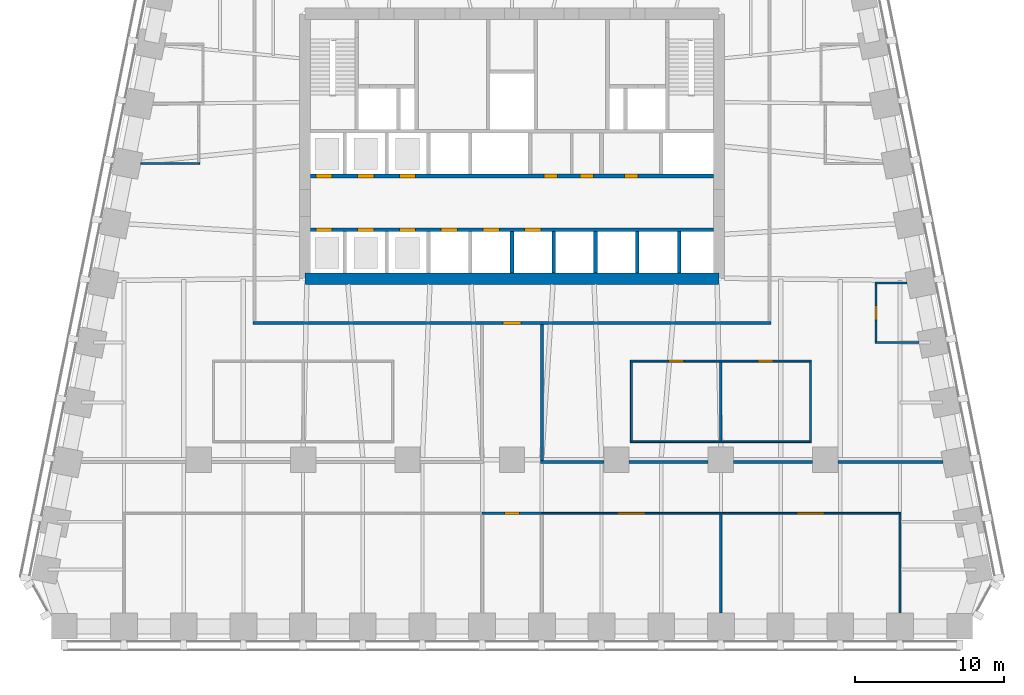
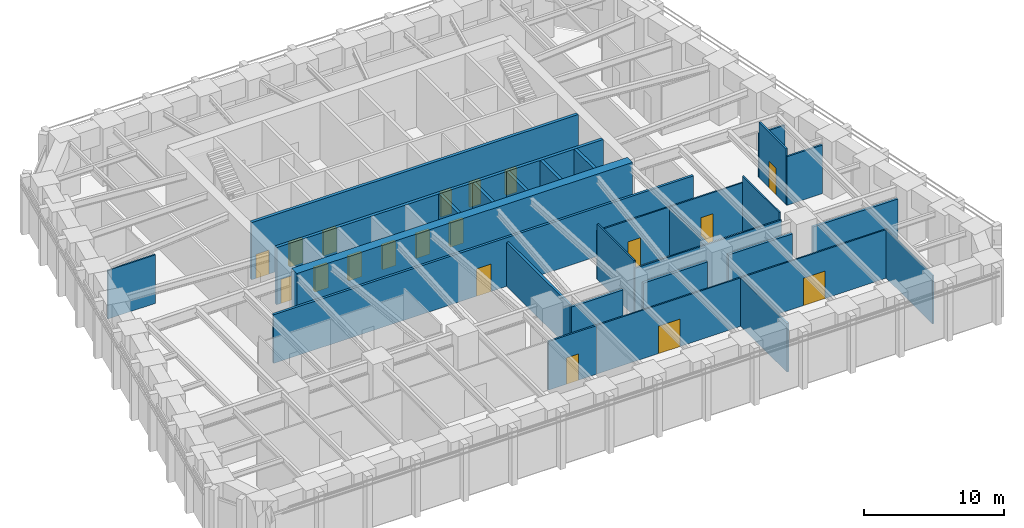
# One storey, part 6 of 11: 27 walls, 19 doors, 19 openings.
"""IFC4 building model written with IfcOpenShell, lengths in metres."""

from ifc_helpers import new_model, si_unit, direction, frame, frame_2d, origin, place, context, subcontext, project, spatial, rectangle, extrude, material, layer, layer_set, type_object, element, fill, save


model = new_model("IFC4")

# Units and contexts
model_context = context("Model", 3, precision=1e-05, world=origin(), true_north=direction((0.0, 1.0)))
body_context = subcontext(model_context, "Body", "Model", "MODEL_VIEW")
ifc_project = project(units=[si_unit("LENGTHUNIT", "METRE"), si_unit("AREAUNIT", "SQUARE_METRE"), si_unit("VOLUMEUNIT", "CUBIC_METRE"), si_unit("PLANEANGLEUNIT", "RADIAN"), si_unit("MASSUNIT", "GRAM", prefix="KILO")], contexts=[model_context])

# Site, building, storey
site_placement = place(None, origin())
site = spatial("IfcSite", under=ifc_project, at=site_placement, CompositionType="ELEMENT")
building_placement = place(site_placement, origin())
building = spatial("IfcBuilding", under=site, at=building_placement, Name="Isbrekke Arena Tower", CompositionType="ELEMENT")
storey_placement = place(building_placement, frame((0.0, 0.0, 98.0)))
storey = spatial("IfcBuildingStorey", under=building, at=storey_placement, Name="L21", CompositionType="ELEMENT", Elevation=98.0)

# Wall
ifc_material_1 = material(Name="Concrete B55 (C55/67)", Category="concrete")
ifc_layer_1 = layer(ifc_material_1, 0.75)
ifc_layer_set_1 = layer_set([ifc_layer_1], Name="CW3 CORE WALL 750")
wall_type_1 = type_object("IfcWallType", Name="CW3 CORE WALL 750", PredefinedType="SHEAR", material=ifc_layer_set_1)
wall_1_placement = place(storey_placement, frame((-13.875, 6.125, 0.0), z_axis=(0.0, 0.0, 1.0), x_axis=(1.0, 0.0, 0.0)))
element("IfcWall", 1, at=wall_1_placement, inside=storey, type_object=wall_type_1, Name="Core wall S L21", PredefinedType="SHEAR", context=body_context, shape_type="SweptSolid", body=[
    extrude(rectangle(XDim=27.75, YDim=0.75, at=frame_2d((13.875, 0.0))), origin(), (0.0, 0.0, 1.0), 5.0),
])

# Wall, openings, doors
ifc_material_2 = material(Name="Concrete B45 (C45/55)", Category="concrete")
ifc_layer_2 = layer(ifc_material_2, 0.25)
ifc_layer_set_2 = layer_set([ifc_layer_2], Name="CW6 SHAFT WALL 250")
wall_type_2 = type_object("IfcWallType", Name="CW6 SHAFT WALL 250", PredefinedType="SHEAR", material=ifc_layer_set_2)
wall_2_placement = place(storey_placement, frame((-13.5, 9.39990234375, 0.0), z_axis=(0.0, 0.0, 1.0), x_axis=(1.0, 0.0, 0.0)))
wall_2 = element("IfcWall", 2, at=wall_2_placement, inside=storey, type_object=wall_type_2, Name="Core wall LS L21", PredefinedType="SHEAR", context=body_context, shape_type="SweptSolid", body=[
    extrude(rectangle(XDim=27.0, YDim=0.25, at=frame_2d((13.5, 0.0))), origin(), (0.0, 0.0, 1.0), 5.0),
])
opening_1_placement = place(wall_2_placement, frame((0.35009765625, 0.0, 0.0)))
opening_1 = element("IfcOpeningElement", 3, at=opening_1_placement, cuts=wall_2, Name="Opening LD1", PredefinedType="OPENING", context=body_context, shape_type="SweptSolid", body=[
    extrude(rectangle(XDim=1.10009765625, YDim=2.10009765625, at=frame_2d((0.550048828125, 1.050048828125))), frame((0.0, 0.139892578125, 0.0), z_axis=(0.0, -1.0, 0.0), x_axis=(1.0, 0.0, 0.0)), (0.0, 0.0, 1.0), 0.27978515625),
])
opening_2_placement = place(wall_2_placement, frame((3.14990234375, 0.0, 0.0)))
opening_2 = element("IfcOpeningElement", 4, at=opening_2_placement, cuts=wall_2, Name="Opening LD1", PredefinedType="OPENING", context=body_context, shape_type="SweptSolid", body=[
    extrude(rectangle(XDim=1.10009765625, YDim=2.10009765625, at=frame_2d((0.550048828125, 1.050048828125))), frame((0.0, 0.139892578125, 0.0), z_axis=(0.0, -1.0, 0.0), x_axis=(1.0, 0.0, 0.0)), (0.0, 0.0, 1.0), 0.27978515625),
])
opening_3_placement = place(wall_2_placement, frame((5.949951171875, 0.0, 0.0)))
opening_3 = element("IfcOpeningElement", 5, at=opening_3_placement, cuts=wall_2, Name="Opening LD1", PredefinedType="OPENING", context=body_context, shape_type="SweptSolid", body=[
    extrude(rectangle(XDim=1.10009765625, YDim=2.10009765625, at=frame_2d((0.550048828125, 1.050048828125))), frame((0.0, 0.139892578125, 0.0), z_axis=(0.0, -1.0, 0.0), x_axis=(1.0, 0.0, 0.0)), (0.0, 0.0, 1.0), 0.27978515625),
])
opening_4_placement = place(wall_2_placement, frame((8.75, 0.0, 0.0)))
opening_4 = element("IfcOpeningElement", 6, at=opening_4_placement, cuts=wall_2, Name="Opening LD1", PredefinedType="OPENING", context=body_context, shape_type="SweptSolid", body=[
    extrude(rectangle(XDim=1.10009765625, YDim=2.10009765625, at=frame_2d((0.550048828125, 1.050048828125))), frame((0.0, 0.139892578125, 0.0), z_axis=(0.0, -1.0, 0.0), x_axis=(1.0, 0.0, 0.0)), (0.0, 0.0, 1.0), 0.27978515625),
])
opening_5_placement = place(wall_2_placement, frame((11.550048828125, 0.0, 0.0)))
opening_5 = element("IfcOpeningElement", 7, at=opening_5_placement, cuts=wall_2, Name="Opening LD1", PredefinedType="OPENING", context=body_context, shape_type="SweptSolid", body=[
    extrude(rectangle(XDim=1.10009765625, YDim=2.10009765625, at=frame_2d((0.550048828125, 1.050048828125))), frame((0.0, 0.139892578125, 0.0), z_axis=(0.0, -1.0, 0.0), x_axis=(1.0, 0.0, 0.0)), (0.0, 0.0, 1.0), 0.27978515625),
])
opening_6_placement = place(wall_2_placement, frame((14.35009765625, 0.0, 0.0)))
opening_6 = element("IfcOpeningElement", 8, at=opening_6_placement, cuts=wall_2, Name="Opening LD1", PredefinedType="OPENING", context=body_context, shape_type="SweptSolid", body=[
    extrude(rectangle(XDim=1.10009765625, YDim=2.10009765625, at=frame_2d((0.550048828125, 1.050048828125))), frame((0.0, 0.139892578125, 0.0), z_axis=(0.0, -1.0, 0.0), x_axis=(1.0, 0.0, 0.0)), (0.0, 0.0, 1.0), 0.27978515625),
])
ifc_material_3 = material(Name="Stainless steel lift landing door", Category="steel")
door_type_1 = type_object("IfcDoorType", Name="LD1 LIFT LANDING DOOR 1100 x 2100", OperationType="SLIDING_TO_LEFT", PredefinedType="DOOR", material=ifc_material_3)
door_1_placement = place(opening_1_placement, origin())
door_1 = element("IfcDoor", 9, at=door_1_placement, inside=storey, type_object=door_type_1, Name="LD1 lift landing door LB L21", OperationType="SLIDING_TO_LEFT", OverallHeight=2.10009765625, OverallWidth=1.10009765625, PredefinedType="DOOR", context=body_context, shape_type="SweptSolid", body=[
    extrude(rectangle(XDim=1.10009765625, YDim=2.10009765625, at=frame_2d((0.550048828125, 1.050048828125))), frame((0.0, 0.124755859375, 0.0), z_axis=(0.0, -1.0, 0.0), x_axis=(1.0, 0.0, 0.0)), (0.0, 0.0, 1.0), 0.24951171875),
])
fill(opening_1, door_1)
door_2_placement = place(opening_2_placement, origin())
door_2 = element("IfcDoor", 10, at=door_2_placement, inside=storey, type_object=door_type_1, Name="LD1 lift landing door LB L21", OperationType="SLIDING_TO_LEFT", OverallHeight=2.10009765625, OverallWidth=1.10009765625, PredefinedType="DOOR", context=body_context, shape_type="SweptSolid", body=[
    extrude(rectangle(XDim=1.10009765625, YDim=2.10009765625, at=frame_2d((0.550048828125, 1.050048828125))), frame((0.0, 0.124755859375, 0.0), z_axis=(0.0, -1.0, 0.0), x_axis=(1.0, 0.0, 0.0)), (0.0, 0.0, 1.0), 0.24951171875),
])
fill(opening_2, door_2)
door_3_placement = place(opening_3_placement, origin())
door_3 = element("IfcDoor", 11, at=door_3_placement, inside=storey, type_object=door_type_1, Name="LD1 lift landing door LB L21", OperationType="SLIDING_TO_LEFT", OverallHeight=2.10009765625, OverallWidth=1.10009765625, PredefinedType="DOOR", context=body_context, shape_type="SweptSolid", body=[
    extrude(rectangle(XDim=1.10009765625, YDim=2.10009765625, at=frame_2d((0.550048828125, 1.050048828125))), frame((0.0, 0.124755859375, 0.0), z_axis=(0.0, -1.0, 0.0), x_axis=(1.0, 0.0, 0.0)), (0.0, 0.0, 1.0), 0.24951171875),
])
fill(opening_3, door_3)
door_4_placement = place(opening_4_placement, origin())
door_4 = element("IfcDoor", 12, at=door_4_placement, inside=storey, type_object=door_type_1, Name="LD1 lift landing door LS L21", OperationType="SLIDING_TO_LEFT", OverallHeight=2.10009765625, OverallWidth=1.10009765625, PredefinedType="DOOR", context=body_context, shape_type="SweptSolid", body=[
    extrude(rectangle(XDim=1.10009765625, YDim=2.10009765625, at=frame_2d((0.550048828125, 1.050048828125))), frame((0.0, 0.124755859375, 0.0), z_axis=(0.0, -1.0, 0.0), x_axis=(1.0, 0.0, 0.0)), (0.0, 0.0, 1.0), 0.24951171875),
])
fill(opening_4, door_4)
door_5_placement = place(opening_5_placement, origin())
door_5 = element("IfcDoor", 13, at=door_5_placement, inside=storey, type_object=door_type_1, Name="LD1 lift landing door LS L21", OperationType="SLIDING_TO_LEFT", OverallHeight=2.10009765625, OverallWidth=1.10009765625, PredefinedType="DOOR", context=body_context, shape_type="SweptSolid", body=[
    extrude(rectangle(XDim=1.10009765625, YDim=2.10009765625, at=frame_2d((0.550048828125, 1.050048828125))), frame((0.0, 0.124755859375, 0.0), z_axis=(0.0, -1.0, 0.0), x_axis=(1.0, 0.0, 0.0)), (0.0, 0.0, 1.0), 0.24951171875),
])
fill(opening_5, door_5)
door_6_placement = place(opening_6_placement, origin())
door_6 = element("IfcDoor", 14, at=door_6_placement, inside=storey, type_object=door_type_1, Name="LD1 lift landing door LS L21", OperationType="SLIDING_TO_LEFT", OverallHeight=2.10009765625, OverallWidth=1.10009765625, PredefinedType="DOOR", context=body_context, shape_type="SweptSolid", body=[
    extrude(rectangle(XDim=1.10009765625, YDim=2.10009765625, at=frame_2d((0.550048828125, 1.050048828125))), frame((0.0, 0.124755859375, 0.0), z_axis=(0.0, -1.0, 0.0), x_axis=(1.0, 0.0, 0.0)), (0.0, 0.0, 1.0), 0.24951171875),
])
fill(opening_6, door_6)

wall_3_placement = place(storey_placement, frame((-13.5, 13.0, 0.0), z_axis=(0.0, 0.0, 1.0), x_axis=(1.0, 0.0, 0.0)))
wall_3 = element("IfcWall", 15, at=wall_3_placement, inside=storey, type_object=wall_type_2, Name="Core wall LN L21", PredefinedType="SHEAR", context=body_context, shape_type="SweptSolid", body=[
    extrude(rectangle(XDim=27.0, YDim=0.25, at=frame_2d((13.5, 0.0))), origin(), (0.0, 0.0, 1.0), 5.0),
])
opening_7_placement = place(wall_3_placement, frame((0.35009765625, 0.0, 0.0)))
opening_7 = element("IfcOpeningElement", 16, at=opening_7_placement, cuts=wall_3, Name="Opening LD1", PredefinedType="OPENING", context=body_context, shape_type="SweptSolid", body=[
    extrude(rectangle(XDim=1.10009765625, YDim=2.10009765625, at=frame_2d((0.550048828125, 1.050048828125))), frame((0.0, 0.139892578125, 0.0), z_axis=(0.0, -1.0, 0.0), x_axis=(1.0, 0.0, 0.0)), (0.0, 0.0, 1.0), 0.27978515625),
])
opening_8_placement = place(wall_3_placement, frame((3.14990234375, 0.0, 0.0)))
opening_8 = element("IfcOpeningElement", 17, at=opening_8_placement, cuts=wall_3, Name="Opening LD1", PredefinedType="OPENING", context=body_context, shape_type="SweptSolid", body=[
    extrude(rectangle(XDim=1.10009765625, YDim=2.10009765625, at=frame_2d((0.550048828125, 1.050048828125))), frame((0.0, 0.139892578125, 0.0), z_axis=(0.0, -1.0, 0.0), x_axis=(1.0, 0.0, 0.0)), (0.0, 0.0, 1.0), 0.27978515625),
])
opening_9_placement = place(wall_3_placement, frame((5.949951171875, 0.0, 0.0)))
opening_9 = element("IfcOpeningElement", 18, at=opening_9_placement, cuts=wall_3, Name="Opening LD1", PredefinedType="OPENING", context=body_context, shape_type="SweptSolid", body=[
    extrude(rectangle(XDim=1.10009765625, YDim=2.10009765625, at=frame_2d((0.550048828125, 1.050048828125))), frame((0.0, 0.139892578125, 0.0), z_axis=(0.0, -1.0, 0.0), x_axis=(1.0, 0.0, 0.0)), (0.0, 0.0, 1.0), 0.27978515625),
])
opening_10_placement = place(wall_3_placement, frame((15.64990234375, 0.0, 0.0)))
opening_10 = element("IfcOpeningElement", 19, at=opening_10_placement, cuts=wall_3, Name="Opening D5", PredefinedType="OPENING", context=body_context, shape_type="SweptSolid", body=[
    extrude(rectangle(XDim=0.89990234375, YDim=2.10009765625, at=frame_2d((0.449951171875, 1.050048828125))), frame((0.0, 0.139892578125, 0.0), z_axis=(0.0, -1.0, 0.0), x_axis=(1.0, 0.0, 0.0)), (0.0, 0.0, 1.0), 0.27978515625),
])
opening_11_placement = place(wall_3_placement, frame((18.050048828125, 0.0, 0.0)))
opening_11 = element("IfcOpeningElement", 20, at=opening_11_placement, cuts=wall_3, Name="Opening D5", PredefinedType="OPENING", context=body_context, shape_type="SweptSolid", body=[
    extrude(rectangle(XDim=0.89990234375, YDim=2.10009765625, at=frame_2d((0.449951171875, 1.050048828125))), frame((0.0, 0.139892578125, 0.0), z_axis=(0.0, -1.0, 0.0), x_axis=(1.0, 0.0, 0.0)), (0.0, 0.0, 1.0), 0.27978515625),
])
opening_12_placement = place(wall_3_placement, frame((21.050048828125, 0.0, 0.0)))
opening_12 = element("IfcOpeningElement", 21, at=opening_12_placement, cuts=wall_3, Name="Opening D5", PredefinedType="OPENING", context=body_context, shape_type="SweptSolid", body=[
    extrude(rectangle(XDim=0.89990234375, YDim=2.10009765625, at=frame_2d((0.449951171875, 1.050048828125))), frame((0.0, 0.139892578125, 0.0), z_axis=(0.0, -1.0, 0.0), x_axis=(1.0, 0.0, 0.0)), (0.0, 0.0, 1.0), 0.27978515625),
])
ifc_material_4 = material(Name="Steel fire door", Category="steel")
door_type_2 = type_object("IfcDoorType", Name="D5 SERVICE DOOR 900 x 2100", OperationType="SINGLE_SWING_LEFT", PredefinedType="DOOR", material=ifc_material_4)
door_7_placement = place(opening_10_placement, origin())
door_7 = element("IfcDoor", 22, at=door_7_placement, inside=storey, type_object=door_type_2, Name="D5 tea point door L21", OperationType="SINGLE_SWING_LEFT", OverallHeight=2.10009765625, OverallWidth=0.89990234375, PredefinedType="DOOR", context=body_context, shape_type="SweptSolid", body=[
    extrude(rectangle(XDim=0.89990234375, YDim=2.10009765625, at=frame_2d((0.449951171875, 1.050048828125))), frame((0.0, 0.124755859375, 0.0), z_axis=(0.0, -1.0, 0.0), x_axis=(1.0, 0.0, 0.0)), (0.0, 0.0, 1.0), 0.24951171875),
])
fill(opening_10, door_7)
door_8_placement = place(opening_11_placement, origin())
door_8 = element("IfcDoor", 23, at=door_8_placement, inside=storey, type_object=door_type_2, Name="D5 cleaner's store door L21", OperationType="SINGLE_SWING_LEFT", OverallHeight=2.10009765625, OverallWidth=0.89990234375, PredefinedType="DOOR", context=body_context, shape_type="SweptSolid", body=[
    extrude(rectangle(XDim=0.89990234375, YDim=2.10009765625, at=frame_2d((0.449951171875, 1.050048828125))), frame((0.0, 0.124755859375, 0.0), z_axis=(0.0, -1.0, 0.0), x_axis=(1.0, 0.0, 0.0)), (0.0, 0.0, 1.0), 0.24951171875),
])
fill(opening_11, door_8)
door_9_placement = place(opening_12_placement, origin())
door_9 = element("IfcDoor", 24, at=door_9_placement, inside=storey, type_object=door_type_2, Name="D5 communications room door L21", OperationType="SINGLE_SWING_LEFT", OverallHeight=2.10009765625, OverallWidth=0.89990234375, PredefinedType="DOOR", context=body_context, shape_type="SweptSolid", body=[
    extrude(rectangle(XDim=0.89990234375, YDim=2.10009765625, at=frame_2d((0.449951171875, 1.050048828125))), frame((0.0, 0.124755859375, 0.0), z_axis=(0.0, -1.0, 0.0), x_axis=(1.0, 0.0, 0.0)), (0.0, 0.0, 1.0), 0.24951171875),
])
fill(opening_12, door_9)
door_10_placement = place(opening_7_placement, origin())
door_10 = element("IfcDoor", 25, at=door_10_placement, inside=storey, type_object=door_type_1, Name="LD1 lift landing door LB L21", OperationType="SLIDING_TO_LEFT", OverallHeight=2.10009765625, OverallWidth=1.10009765625, PredefinedType="DOOR", context=body_context, shape_type="SweptSolid", body=[
    extrude(rectangle(XDim=1.10009765625, YDim=2.10009765625, at=frame_2d((0.550048828125, 1.050048828125))), frame((0.0, 0.124755859375, 0.0), z_axis=(0.0, -1.0, 0.0), x_axis=(1.0, 0.0, 0.0)), (0.0, 0.0, 1.0), 0.24951171875),
])
fill(opening_7, door_10)
door_11_placement = place(opening_8_placement, origin())
door_11 = element("IfcDoor", 26, at=door_11_placement, inside=storey, type_object=door_type_1, Name="LD1 lift landing door LB L21", OperationType="SLIDING_TO_LEFT", OverallHeight=2.10009765625, OverallWidth=1.10009765625, PredefinedType="DOOR", context=body_context, shape_type="SweptSolid", body=[
    extrude(rectangle(XDim=1.10009765625, YDim=2.10009765625, at=frame_2d((0.550048828125, 1.050048828125))), frame((0.0, 0.124755859375, 0.0), z_axis=(0.0, -1.0, 0.0), x_axis=(1.0, 0.0, 0.0)), (0.0, 0.0, 1.0), 0.24951171875),
])
fill(opening_8, door_11)
door_12_placement = place(opening_9_placement, origin())
door_12 = element("IfcDoor", 27, at=door_12_placement, inside=storey, type_object=door_type_1, Name="LD1 lift landing door LB L21", OperationType="SLIDING_TO_LEFT", OverallHeight=2.10009765625, OverallWidth=1.10009765625, PredefinedType="DOOR", context=body_context, shape_type="SweptSolid", body=[
    extrude(rectangle(XDim=1.10009765625, YDim=2.10009765625, at=frame_2d((0.550048828125, 1.050048828125))), frame((0.0, 0.124755859375, 0.0), z_axis=(0.0, -1.0, 0.0), x_axis=(1.0, 0.0, 0.0)), (0.0, 0.0, 1.0), 0.24951171875),
])
fill(opening_9, door_12)

# Walls
for number, where, z_axis, x_axis, name in (
    (28, (0.0, 6.5, 0.0), (0.0, 0.0, 1.0), (0.0, 1.0, 0.0), "Core wall SS05 L21"),
    (29, (2.800048828125, 6.5, 0.0), (0.0, 0.0, 1.0), (0.0, 1.0, 0.0), "Core wall SS06 L21"),
    (30, (5.60009765625, 6.5, 0.0), (0.0, 0.0, 1.0), (0.0, 1.0, 0.0), "Core wall SS07 L21"),
    (31, (8.39990234375, 6.5, 0.0), (0.0, 0.0, 1.0), (0.0, 1.0, 0.0), "Core wall SS08 L21"),
    (32, (11.199951171875, 6.5, 0.0), (0.0, 0.0, 1.0), (0.0, 1.0, 0.0), "Core wall SS09 L21"),
):
    element("IfcWall", number, at=place(storey_placement, frame(where, z_axis=z_axis, x_axis=x_axis)), inside=storey, type_object=wall_type_2, Name=name, PredefinedType="SHEAR", context=body_context, shape_type="SweptSolid", body=[
        extrude(rectangle(XDim=2.77490234375, YDim=0.25, at=frame_2d((1.387451171875, 0.0))), origin(), (0.0, 0.0, 1.0), 5.0),
    ])

# Wall, opening, door
ifc_material_5 = material(Name="Gypsum board partition on steel studs", Category="steel")
ifc_layer_3 = layer(ifc_material_5, 0.14990234375)
ifc_layer_set_3 = layer_set([ifc_layer_3], Name="IW1 PARTITION 150")
wall_type_3 = type_object("IfcWallType", Name="IW1 PARTITION 150", PredefinedType="PARTITIONING", material=ifc_layer_set_3)
wall_4_placement = place(storey_placement, frame((-2.0, -9.60009765625, 0.0), z_axis=(0.0, 0.0, 1.0), x_axis=(1.0, 0.0, 0.0)))
wall_4 = element("IfcWall", 33, at=wall_4_placement, inside=storey, type_object=wall_type_3, Name="IW1 partition 150 L21", PredefinedType="PARTITIONING", context=body_context, shape_type="SweptSolid", body=[
    extrude(rectangle(XDim=4.0, YDim=0.14990234375, at=frame_2d((2.0, 0.0))), origin(), (0.0, 0.0, 1.0), 4.25),
])
opening_13_placement = place(wall_4_placement, frame((1.5, 0.0, 0.0)))
opening_13 = element("IfcOpeningElement", 34, at=opening_13_placement, cuts=wall_4, Name="Opening D10", PredefinedType="OPENING", context=body_context, shape_type="SweptSolid", body=[
    extrude(rectangle(XDim=1.0, YDim=2.300048828125, at=frame_2d((0.5, 1.14990234375))), frame((0.0, 0.08984375, 0.0), z_axis=(0.0, -1.0, 0.0), x_axis=(1.0, 0.0, 0.0)), (0.0, 0.0, 1.0), 0.1796875),
])
ifc_material_6 = material(Name="Timber door", Category="wood")
door_type_3 = type_object("IfcDoorType", Name="D10 OFFICE DOOR 1000 x 2300", OperationType="SINGLE_SWING_LEFT", PredefinedType="DOOR", material=ifc_material_6)
door_13_placement = place(opening_13_placement, origin())
door_13 = element("IfcDoor", 35, at=door_13_placement, inside=storey, type_object=door_type_3, Name="D10 pantry door L21", OperationType="SINGLE_SWING_LEFT", OverallHeight=2.300048828125, OverallWidth=1.0, PredefinedType="DOOR", context=body_context, shape_type="SweptSolid", body=[
    extrude(rectangle(XDim=1.0, YDim=2.300048828125, at=frame_2d((0.5, 1.14990234375))), frame((0.0, 0.07470703125, 0.0), z_axis=(0.0, -1.0, 0.0), x_axis=(1.0, 0.0, 0.0)), (0.0, 0.0, 1.0), 0.1494140625),
])
fill(opening_13, door_13)

# Walls
wall_5_placement = place(storey_placement, frame((24.324951171875, 1.840087890625, 0.0), z_axis=(0.0, 0.0, 1.0), x_axis=(1.0, 0.0, 0.0)))
element("IfcWall", 36, at=wall_5_placement, inside=storey, type_object=wall_type_3, Name="IW1 partition 150 L21", PredefinedType="PARTITIONING", context=body_context, shape_type="SweptSolid", body=[
    extrude(rectangle(XDim=2.94775390625, YDim=0.14990234375, at=frame_2d((1.473876953125, 0.0))), origin(), (0.0, 0.0, 1.0), 4.25),
])
wall_6_placement = place(storey_placement, frame((24.324951171875, 5.840087890625, 0.0), z_axis=(0.0, 0.0, 1.0), x_axis=(1.0, 0.0, 0.0)))
element("IfcWall", 37, at=wall_6_placement, inside=storey, type_object=wall_type_3, Name="IW1 partition 150 L21", PredefinedType="PARTITIONING", context=body_context, shape_type="SweptSolid", body=[
    extrude(rectangle(XDim=2.14794921875, YDim=0.14990234375, at=frame_2d((1.073974609375, 0.0))), origin(), (0.0, 0.0, 1.0), 3.842041015625),
])

# Wall, opening, door
wall_7_placement = place(storey_placement, frame((24.39990234375, 1.9150390625, 0.0), z_axis=(0.0, 0.0, 1.0), x_axis=(0.0, 1.0, 0.0)))
wall_7 = element("IfcWall", 38, at=wall_7_placement, inside=storey, type_object=wall_type_3, Name="IW1 partition 150 L21", PredefinedType="PARTITIONING", context=body_context, shape_type="SweptSolid", body=[
    extrude(rectangle(XDim=3.849853515625, YDim=0.14990234375, at=frame_2d((1.9248046875, 0.0))), origin(), (0.0, 0.0, 1.0), 4.85009765625),
])
opening_14_placement = place(wall_7_placement, frame((1.425048828125, 0.0, 0.0)))
opening_14 = element("IfcOpeningElement", 39, at=opening_14_placement, cuts=wall_7, Name="Opening D10", PredefinedType="OPENING", context=body_context, shape_type="SweptSolid", body=[
    extrude(rectangle(XDim=1.0, YDim=2.300048828125, at=frame_2d((0.5, 1.14990234375))), frame((0.0, 0.08984375, 0.0), z_axis=(0.0, -1.0, 0.0), x_axis=(1.0, 0.0, 0.0)), (0.0, 0.0, 1.0), 0.1796875),
])
door_14_placement = place(opening_14_placement, origin())
door_14 = element("IfcDoor", 40, at=door_14_placement, inside=storey, type_object=door_type_3, Name="D10 store door L21", OperationType="SINGLE_SWING_LEFT", OverallHeight=2.300048828125, OverallWidth=1.0, PredefinedType="DOOR", context=body_context, shape_type="SweptSolid", body=[
    extrude(rectangle(XDim=1.0, YDim=2.300048828125, at=frame_2d((0.5, 1.14990234375))), frame((0.0, 0.07470703125, 0.0), z_axis=(0.0, -1.0, 0.0), x_axis=(1.0, 0.0, 0.0)), (0.0, 0.0, 1.0), 0.1494140625),
])
fill(opening_14, door_14)

# Wall, openings, doors
ifc_material_7 = material(Name="Frameless glazed partition, laminated acoustic glass", Category="glass")
ifc_layer_4 = layer(ifc_material_7, 0.1201171875)
ifc_layer_set_4 = layer_set([ifc_layer_4], Name="IW2 GLAZED PARTITION 120")
wall_type_4 = type_object("IfcWallType", Name="IW2 GLAZED PARTITION 120", PredefinedType="PARTITIONING", material=ifc_layer_set_4)
wall_8_placement = place(storey_placement, frame((2.0, -9.60009765625, 0.0), z_axis=(0.0, 0.0, 1.0), x_axis=(1.0, 0.0, 0.0)))
wall_8 = element("IfcWall", 41, at=wall_8_placement, inside=storey, type_object=wall_type_4, Name="IW2 glazed partition 120 L21", PredefinedType="PARTITIONING", context=body_context, shape_type="SweptSolid", body=[
    extrude(rectangle(XDim=24.06005859375, YDim=0.1201171875, at=frame_2d((12.030029296875, 0.0))), origin(), (0.0, 0.0, 1.0), 4.25),
])
opening_15_placement = place(wall_8_placement, frame((5.10009765625, 0.0, 0.0)))
opening_15 = element("IfcOpeningElement", 42, at=opening_15_placement, cuts=wall_8, Name="Opening D13", PredefinedType="OPENING", context=body_context, shape_type="SweptSolid", body=[
    extrude(rectangle(XDim=1.800048828125, YDim=2.39990234375, at=frame_2d((0.89990234375, 1.199951171875))), frame((0.0, 0.074951171875, 0.0), z_axis=(0.0, -1.0, 0.0), x_axis=(1.0, 0.0, 0.0)), (0.0, 0.0, 1.0), 0.14990234375),
])
opening_16_placement = place(wall_8_placement, frame((17.10009765625, 0.0, 0.0)))
opening_16 = element("IfcOpeningElement", 43, at=opening_16_placement, cuts=wall_8, Name="Opening D13", PredefinedType="OPENING", context=body_context, shape_type="SweptSolid", body=[
    extrude(rectangle(XDim=1.800048828125, YDim=2.39990234375, at=frame_2d((0.89990234375, 1.199951171875))), frame((0.0, 0.074951171875, 0.0), z_axis=(0.0, -1.0, 0.0), x_axis=(1.0, 0.0, 0.0)), (0.0, 0.0, 1.0), 0.14990234375),
])
ifc_material_8 = material(Name="Timber door pair", Category="wood")
door_type_4 = type_object("IfcDoorType", Name="D13 DOUBLE ROOM DOOR 1800 x 2400", OperationType="DOUBLE_DOOR_SINGLE_SWING", PredefinedType="DOOR", material=ifc_material_8)
door_15_placement = place(opening_15_placement, origin())
door_15 = element("IfcDoor", 44, at=door_15_placement, inside=storey, type_object=door_type_4, Name="D13 conference room door L21", OperationType="DOUBLE_DOOR_SINGLE_SWING", OverallHeight=2.39990234375, OverallWidth=1.800048828125, PredefinedType="DOOR", context=body_context, shape_type="SweptSolid", body=[
    extrude(rectangle(XDim=1.800048828125, YDim=2.39990234375, at=frame_2d((0.89990234375, 1.199951171875))), frame((0.0, 0.059814453125, 0.0), z_axis=(0.0, -1.0, 0.0), x_axis=(1.0, 0.0, 0.0)), (0.0, 0.0, 1.0), 0.11962890625),
])
fill(opening_15, door_15)
door_16_placement = place(opening_16_placement, origin())
door_16 = element("IfcDoor", 45, at=door_16_placement, inside=storey, type_object=door_type_4, Name="D13 conference room door L21", OperationType="DOUBLE_DOOR_SINGLE_SWING", OverallHeight=2.39990234375, OverallWidth=1.800048828125, PredefinedType="DOOR", context=body_context, shape_type="SweptSolid", body=[
    extrude(rectangle(XDim=1.800048828125, YDim=2.39990234375, at=frame_2d((0.89990234375, 1.199951171875))), frame((0.0, 0.059814453125, 0.0), z_axis=(0.0, -1.0, 0.0), x_axis=(1.0, 0.0, 0.0)), (0.0, 0.0, 1.0), 0.11962890625),
])
fill(opening_16, door_16)

# Wall
wall_9_placement = place(storey_placement, frame((7.93994140625, -4.800048828125, 0.0), z_axis=(0.0, 0.0, 1.0), x_axis=(1.0, 0.0, 0.0)))
element("IfcWall", 46, at=wall_9_placement, inside=storey, type_object=wall_type_4, Name="IW2 glazed partition 120 L21", PredefinedType="PARTITIONING", context=body_context, shape_type="SweptSolid", body=[
    extrude(rectangle(XDim=12.1201171875, YDim=0.1201171875, at=frame_2d((6.06005859375, 0.0))), origin(), (0.0, 0.0, 1.0), 4.25),
])

# Wall, openings, doors
wall_10_placement = place(storey_placement, frame((7.93994140625, 0.60009765625, 0.0), z_axis=(0.0, 0.0, 1.0), x_axis=(1.0, 0.0, 0.0)))
wall_10 = element("IfcWall", 47, at=wall_10_placement, inside=storey, type_object=wall_type_4, Name="IW2 glazed partition 120 L21", PredefinedType="PARTITIONING", context=body_context, shape_type="SweptSolid", body=[
    extrude(rectangle(XDim=12.1201171875, YDim=0.1201171875, at=frame_2d((6.06005859375, 0.0))), origin(), (0.0, 0.0, 1.0), 4.25),
])
opening_17_placement = place(wall_10_placement, frame((2.56005859375, 0.0, 0.0)))
opening_17 = element("IfcOpeningElement", 48, at=opening_17_placement, cuts=wall_10, Name="Opening D11", PredefinedType="OPENING", context=body_context, shape_type="SweptSolid", body=[
    extrude(rectangle(XDim=1.0, YDim=2.39990234375, at=frame_2d((0.5, 1.199951171875))), frame((0.0, 0.074951171875, 0.0), z_axis=(0.0, -1.0, 0.0), x_axis=(1.0, 0.0, 0.0)), (0.0, 0.0, 1.0), 0.14990234375),
])
opening_18_placement = place(wall_10_placement, frame((8.56005859375, 0.0, 0.0)))
opening_18 = element("IfcOpeningElement", 49, at=opening_18_placement, cuts=wall_10, Name="Opening D11", PredefinedType="OPENING", context=body_context, shape_type="SweptSolid", body=[
    extrude(rectangle(XDim=1.0, YDim=2.39990234375, at=frame_2d((0.5, 1.199951171875))), frame((0.0, 0.074951171875, 0.0), z_axis=(0.0, -1.0, 0.0), x_axis=(1.0, 0.0, 0.0)), (0.0, 0.0, 1.0), 0.14990234375),
])
ifc_material_9 = material(Name="Frameless glazed door", Category="glass")
door_type_5 = type_object("IfcDoorType", Name="D11 GLAZED MEETING ROOM DOOR 1000 x 2400", OperationType="SINGLE_SWING_RIGHT", PredefinedType="DOOR", material=ifc_material_9)
door_17_placement = place(opening_17_placement, origin())
door_17 = element("IfcDoor", 50, at=door_17_placement, inside=storey, type_object=door_type_5, Name="D11 meeting room door L21", OperationType="SINGLE_SWING_RIGHT", OverallHeight=2.39990234375, OverallWidth=1.0, PredefinedType="DOOR", context=body_context, shape_type="SweptSolid", body=[
    extrude(rectangle(XDim=1.0, YDim=2.39990234375, at=frame_2d((0.5, 1.199951171875))), frame((0.0, 0.059814453125, 0.0), z_axis=(0.0, -1.0, 0.0), x_axis=(1.0, 0.0, 0.0)), (0.0, 0.0, 1.0), 0.11962890625),
])
fill(opening_17, door_17)
door_18_placement = place(opening_18_placement, origin())
door_18 = element("IfcDoor", 51, at=door_18_placement, inside=storey, type_object=door_type_5, Name="D11 meeting room door L21", OperationType="SINGLE_SWING_RIGHT", OverallHeight=2.39990234375, OverallWidth=1.0, PredefinedType="DOOR", context=body_context, shape_type="SweptSolid", body=[
    extrude(rectangle(XDim=1.0, YDim=2.39990234375, at=frame_2d((0.5, 1.199951171875))), frame((0.0, 0.059814453125, 0.0), z_axis=(0.0, -1.0, 0.0), x_axis=(1.0, 0.0, 0.0)), (0.0, 0.0, 1.0), 0.11962890625),
])
fill(opening_18, door_18)

# Walls
wall_11_placement = place(storey_placement, frame((-24.872802734375, 13.840087890625, 0.0), z_axis=(0.0, 0.0, 1.0), x_axis=(1.0, 0.0, 0.0)))
element("IfcWall", 52, at=wall_11_placement, inside=storey, type_object=wall_type_4, Name="IW2 glazed partition 120 L21", PredefinedType="PARTITIONING", context=body_context, shape_type="SweptSolid", body=[
    extrude(rectangle(XDim=3.932861328125, YDim=0.1201171875, at=frame_2d((1.96630859375, 0.0))), origin(), (0.0, 0.0, 1.0), 4.25),
])
for number, where, z_axis, x_axis, name in (
    (53, (8.0, -4.739990234375, 0.0), (0.0, 0.0, 1.0), (0.0, 1.0, 0.0), "IW2 glazed partition 120 L21"),
    (54, (20.0, -4.739990234375, 0.0), (0.0, 0.0, 1.0), (0.0, 1.0, 0.0), "IW2 glazed partition 120 L21"),
):
    element("IfcWall", number, at=place(storey_placement, frame(where, z_axis=z_axis, x_axis=x_axis)), inside=storey, type_object=wall_type_4, Name=name, PredefinedType="PARTITIONING", context=body_context, shape_type="SweptSolid", body=[
        extrude(rectangle(XDim=5.280029296875, YDim=0.1201171875, at=frame_2d((2.64013671875, 0.0))), origin(), (0.0, 0.0, 1.0), 4.85009765625),
    ])
wall_12_placement = place(storey_placement, frame((26.0, -16.27490234375, 0.0), z_axis=(0.0, 0.0, 1.0), x_axis=(0.0, 1.0, 0.0)))
element("IfcWall", 55, at=wall_12_placement, inside=storey, type_object=wall_type_4, Name="IW2 glazed partition 120 L21", PredefinedType="PARTITIONING", context=body_context, shape_type="SweptSolid", body=[
    extrude(rectangle(XDim=6.614990234375, YDim=0.1201171875, at=frame_2d((3.3076171875, 0.0))), origin(), (0.0, 0.0, 1.0), 4.25),
])
ifc_material_10 = material(Name="Gypsum board fire-cell wall on steel studs, two layers each side", Category="steel")
ifc_layer_5 = layer(ifc_material_10, 0.199951171875)
ifc_layer_set_5 = layer_set([ifc_layer_5], Name="IW3 FIRE-CELL WALL 200")
wall_type_5 = type_object("IfcWallType", Name="IW3 FIRE-CELL WALL 200", PredefinedType="PARTITIONING", material=ifc_layer_set_5)
wall_13_placement = place(storey_placement, frame((1.89990234375, -6.159912109375, 0.0), z_axis=(0.0, 0.0, 1.0), x_axis=(1.0, 0.0, 0.0)))
element("IfcWall", 56, at=wall_13_placement, inside=storey, type_object=wall_type_5, Name="IW3 fire-cell wall 200 L21", PredefinedType="PARTITIONING", context=body_context, shape_type="SweptSolid", body=[
    extrude(rectangle(XDim=4.25, YDim=0.199951171875, at=frame_2d((2.125, 0.0))), origin(), (0.0, 0.0, 1.0), 3.842041015625),
])
for number, where, z_axis, x_axis, name in (
    (57, (7.85009765625, -6.159912109375, 0.0), (0.0, 0.0, 1.0), (1.0, 0.0, 0.0), "IW3 fire-cell wall 200 L21"),
    (58, (14.85009765625, -6.159912109375, 0.0), (0.0, 0.0, 1.0), (1.0, 0.0, 0.0), "IW3 fire-cell wall 200 L21"),
):
    element("IfcWall", number, at=place(storey_placement, frame(where, z_axis=z_axis, x_axis=x_axis)), inside=storey, type_object=wall_type_5, Name=name, PredefinedType="PARTITIONING", context=body_context, shape_type="SweptSolid", body=[
        extrude(rectangle(XDim=5.2998046875, YDim=0.199951171875, at=frame_2d((2.64990234375, 0.0))), origin(), (0.0, 0.0, 1.0), 3.842041015625),
    ])
wall_14_placement = place(storey_placement, frame((21.85009765625, -6.159912109375, 0.0), z_axis=(0.0, 0.0, 1.0), x_axis=(1.0, 0.0, 0.0)))
element("IfcWall", 59, at=wall_14_placement, inside=storey, type_object=wall_type_5, Name="IW3 fire-cell wall 200 L21", PredefinedType="PARTITIONING", context=body_context, shape_type="SweptSolid", body=[
    extrude(rectangle(XDim=7.022705078125, YDim=0.199951171875, at=frame_2d((3.51123046875, 0.0))), origin(), (0.0, 0.0, 1.0), 3.842041015625),
])

# Wall, opening, door
wall_15_placement = place(storey_placement, frame((-17.35009765625, 3.14990234375, 0.0), z_axis=(0.0, 0.0, 1.0), x_axis=(1.0, 0.0, 0.0)))
wall_15 = element("IfcWall", 60, at=wall_15_placement, inside=storey, type_object=wall_type_5, Name="IW3 fire-cell wall 200 L21", PredefinedType="PARTITIONING", context=body_context, shape_type="SweptSolid", body=[
    extrude(rectangle(XDim=34.7001953125, YDim=0.199951171875, at=frame_2d((17.35009765625, 0.0))), origin(), (0.0, 0.0, 1.0), 4.25),
])
opening_19_placement = place(wall_15_placement, frame((16.75, 0.0, 0.0)))
opening_19 = element("IfcOpeningElement", 61, at=opening_19_placement, cuts=wall_15, Name="Opening D12", PredefinedType="OPENING", context=body_context, shape_type="SweptSolid", body=[
    extrude(rectangle(XDim=1.199951171875, YDim=2.39990234375, at=frame_2d((0.60009765625, 1.199951171875))), frame((0.0, 0.11474609375, 0.0), z_axis=(0.0, -1.0, 0.0), x_axis=(1.0, 0.0, 0.0)), (0.0, 0.0, 1.0), 0.229736328125),
])
ifc_material_11 = material(Name="Timber fire door with vision panel", Category="wood")
door_type_6 = type_object("IfcDoorType", Name="D12 SUITE ENTRANCE DOOR 1200 x 2400", OperationType="SINGLE_SWING_LEFT", PredefinedType="DOOR", material=ifc_material_11)
door_19_placement = place(opening_19_placement, origin())
door_19 = element("IfcDoor", 62, at=door_19_placement, inside=storey, type_object=door_type_6, Name="D12 suite entrance C door L21", OperationType="SINGLE_SWING_LEFT", OverallHeight=2.39990234375, OverallWidth=1.199951171875, PredefinedType="DOOR", context=body_context, shape_type="SweptSolid", body=[
    extrude(rectangle(XDim=1.199951171875, YDim=2.39990234375, at=frame_2d((0.60009765625, 1.199951171875))), frame((0.0, 0.099609375, 0.0), z_axis=(0.0, -1.0, 0.0), x_axis=(1.0, 0.0, 0.0)), (0.0, 0.0, 1.0), 0.199462890625),
])
fill(opening_19, door_19)

# Walls
wall_16_placement = place(storey_placement, frame((2.0, -6.06005859375, 0.0), z_axis=(0.0, 0.0, 1.0), x_axis=(0.0, 1.0, 0.0)))
element("IfcWall", 63, at=wall_16_placement, inside=storey, type_object=wall_type_5, Name="IW3 fire-cell wall 200 L21", PredefinedType="PARTITIONING", context=body_context, shape_type="SweptSolid", body=[
    extrude(rectangle(XDim=9.110107421875, YDim=0.199951171875, at=frame_2d((4.55517578125, 0.0))), origin(), (0.0, 0.0, 1.0), 3.842041015625),
])
ifc_material_12 = material(Name="Gypsum board acoustic partition on twin steel studs", Category="steel")
ifc_layer_6 = layer(ifc_material_12, 0.175048828125)
ifc_layer_set_6 = layer_set([ifc_layer_6], Name="IW4 ACOUSTIC PARTITION 175")
wall_type_6 = type_object("IfcWallType", Name="IW4 ACOUSTIC PARTITION 175", PredefinedType="PARTITIONING", material=ifc_layer_set_6)
wall_17_placement = place(storey_placement, frame((14.0, -16.27490234375, 0.0), z_axis=(0.0, 0.0, 1.0), x_axis=(0.0, 1.0, 0.0)))
element("IfcWall", 64, at=wall_17_placement, inside=storey, type_object=wall_type_6, Name="IW4 acoustic partition 175 L21", PredefinedType="PARTITIONING", context=body_context, shape_type="SweptSolid", body=[
    extrude(rectangle(XDim=6.614990234375, YDim=0.175048828125, at=frame_2d((3.3076171875, 0.0))), origin(), (0.0, 0.0, 1.0), 4.25),
])
wall_18_placement = place(storey_placement, frame((14.0, -4.739990234375, 0.0), z_axis=(0.0, 0.0, 1.0), x_axis=(0.0, 1.0, 0.0)))
element("IfcWall", 65, at=wall_18_placement, inside=storey, type_object=wall_type_6, Name="IW4 acoustic partition 175 L21", PredefinedType="PARTITIONING", context=body_context, shape_type="SweptSolid", body=[
    extrude(rectangle(XDim=5.280029296875, YDim=0.175048828125, at=frame_2d((2.64013671875, 0.0))), origin(), (0.0, 0.0, 1.0), 4.25),
])

save(model, "model.ifc")
